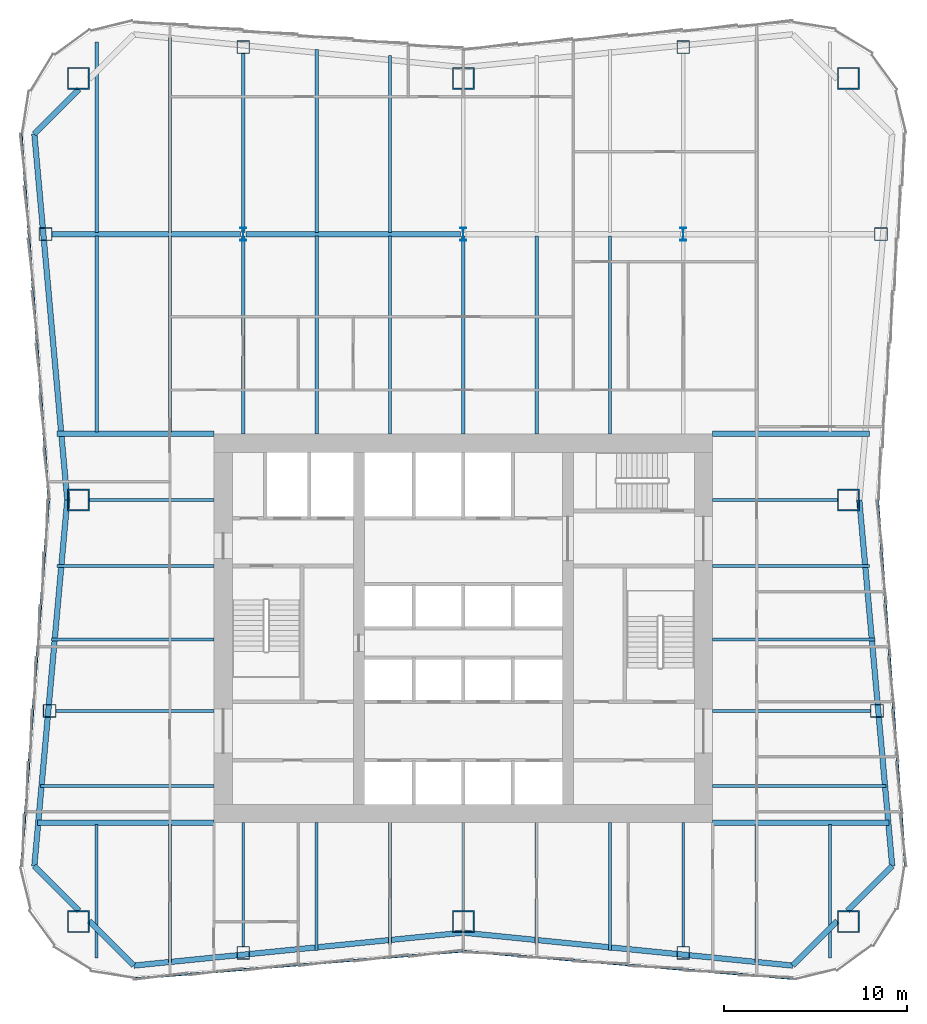
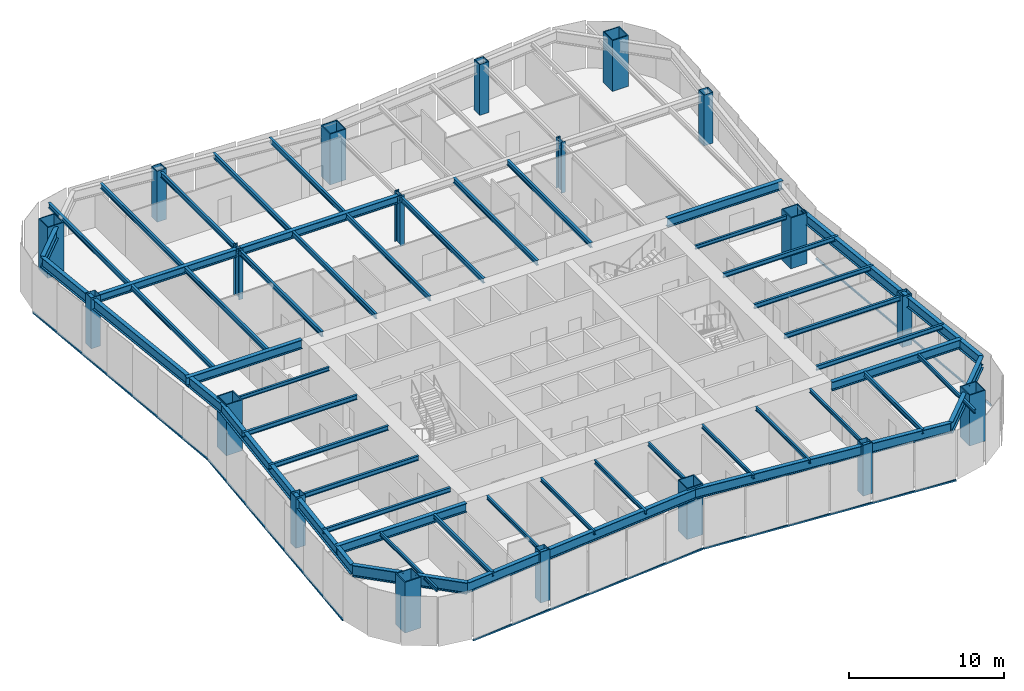
# One storey, part 1 of 8: 50 beams, 19 columns, 5 members, 3 elements without a shape of their own.
"""IFC4 building model written with IfcOpenShell, lengths in metres."""

import ifcopenshell
import ifcopenshell.guid

model = None  # the IFC model being written
_history = None  # IfcOwnerHistory: only IFC2X3 demands one
_inside = {}  # id of a spatial element -> (the spatial element, [elements in it])
_under = {}  # id of a project, library or spatial element -> (it, [spatial elements below it])
_declared = {}  # id of a project -> (the project, [libraries it declares])
_typed = {}  # id of a type object -> (the type object, [elements of that type])
_made_of = {}  # id of a material, layer set ... -> (it, [elements and type objects made of it])


def new_model(schema):
    """Start an empty IFC model of exactly this schema.

    Asked for "IFC4X3", IfcOpenShell would pick the latest addendum, in which some entities
    have other attributes; the version numbers below select the first issue.
    IFC2X3 requires an IfcOwnerHistory on every rooted entity: one is made here for all.
    """
    global model, _history
    if schema == "IFC4X3":
        model = ifcopenshell.file(schema_version=(4, 3, 0, 0))
    else:
        model = ifcopenshell.file(schema=schema)
    _inside.clear()
    _under.clear()
    _declared.clear()
    _typed.clear()
    _made_of.clear()
    _history = None
    if model.schema == "IFC2X3":
        org = make("IfcOrganization", Name="unknown")
        user = make(
            "IfcPersonAndOrganization",
            ThePerson=make("IfcPerson", FamilyName="unknown"),
            TheOrganization=org,
        )
        app = make(
            "IfcApplication",
            ApplicationDeveloper=org,
            Version="unknown",
            ApplicationFullName="unknown",
            ApplicationIdentifier="unknown",
        )
        _history = make(
            "IfcOwnerHistory",
            OwningUser=user,
            OwningApplication=app,
            ChangeAction="ADDED",
            CreationDate=0,
        )
    return model


def make(cls, **values):
    """One entity of the class cls with the attributes given. An attribute that is None is left unset."""
    return model.create_entity(
        cls, **{name: value for name, value in values.items() if value is not None}
    )


def rooted(cls, **values):
    """An entity with a GlobalId (a new one), such as an element, a storey or a relation."""
    return make(cls, GlobalId=ifcopenshell.guid.new(), OwnerHistory=_history, **values)


def si_unit(unit_type, name, prefix=None):
    """IfcSIUnit, for example si_unit("LENGTHUNIT", "METRE", prefix="MILLI")."""
    return make("IfcSIUnit", UnitType=unit_type, Prefix=prefix, Name=name)


def assignment(units):
    """IfcUnitAssignment: the units of a project."""
    return None if units is None else make("IfcUnitAssignment", Units=units)


def point(xyz):
    """IfcCartesianPoint."""
    return None if xyz is None else make("IfcCartesianPoint", Coordinates=xyz)


def direction(xyz):
    """IfcDirection."""
    return None if xyz is None else make("IfcDirection", DirectionRatios=xyz)


def frame(location, z_axis=None, x_axis=None):
    """IfcAxis2Placement3D, a coordinate frame: its origin and axes. An axis left out is left unset."""
    return make(
        "IfcAxis2Placement3D",
        Location=point(location),
        Axis=direction(z_axis),
        RefDirection=direction(x_axis),
    )


def frame_2d(location, x_axis=None):
    """IfcAxis2Placement2D, a coordinate frame in the plane: its origin and x axis."""
    return make(
        "IfcAxis2Placement2D", Location=point(location), RefDirection=direction(x_axis)
    )


def origin():
    """The frame at (0, 0, 0) with its axes left unset."""
    return frame((0.0, 0.0, 0.0))


def origin_2d():
    """The frame at (0, 0) in the plane with its x axis left unset."""
    return frame_2d((0.0, 0.0))


def place(relative_to, where):
    """IfcLocalPlacement: puts the frame where relative to a parent placement (None: the world)."""
    return make(
        "IfcLocalPlacement", PlacementRelTo=relative_to, RelativePlacement=where
    )


def context(
    kind, dimensions, precision=None, world=None, true_north=None, identifier=None
):
    """IfcGeometricRepresentationContext, for example the 3D "Model" context."""
    return make(
        "IfcGeometricRepresentationContext",
        ContextIdentifier=identifier,
        ContextType=kind,
        CoordinateSpaceDimension=dimensions,
        Precision=precision,
        WorldCoordinateSystem=world,
        TrueNorth=true_north,
    )


def subcontext(parent, identifier, kind, view, scale=None):
    """IfcGeometricRepresentationSubContext, for example "Body" below "Model"."""
    return make(
        "IfcGeometricRepresentationSubContext",
        ContextIdentifier=identifier,
        ContextType=kind,
        ParentContext=parent,
        TargetScale=scale,
        TargetView=view,
    )


def project(units=None, contexts=None):
    """IfcProject with its units and contexts."""
    return rooted(
        "IfcProject",
        Name="project",
        RepresentationContexts=contexts,
        UnitsInContext=assignment(units),
    )


def spatial(cls, under=None, at=None, **own):
    """A site, building, storey or space (cls), placed at a placement, below another one or the project."""
    s = rooted(cls, ObjectPlacement=at, **own)
    if under is not None:
        _under.setdefault(under.id(), (under, []))[1].append(s)
    return s


def profile(cls, at=None, kind="AREA", **sizes):
    """A parametric profile (cls). Its sizes go by their IFC names, for example OverallWidth=200.0."""
    return make(cls, ProfileType=kind, Position=at, **sizes)


def rectangle(**sizes):
    """IfcRectangleProfileDef."""
    return profile("IfcRectangleProfileDef", **sizes)


def hollow_rectangle(**sizes):
    """IfcRectangleHollowProfileDef."""
    return profile("IfcRectangleHollowProfileDef", **sizes)


def i_section(**sizes):
    """IfcIShapeProfileDef."""
    return profile("IfcIShapeProfileDef", **sizes)


def extrude(swept, where, along, depth):
    """IfcExtrudedAreaSolid: the profile swept, set in the frame where, extruded along a direction by depth."""
    return make(
        "IfcExtrudedAreaSolid",
        SweptArea=swept,
        Position=where,
        ExtrudedDirection=direction(along),
        Depth=depth,
    )


def shape(context_of_items, identifier, shape_type, items):
    """IfcShapeRepresentation: the items that make up one representation, for example the "Body"."""
    return make(
        "IfcShapeRepresentation",
        ContextOfItems=context_of_items,
        RepresentationIdentifier=identifier,
        RepresentationType=shape_type,
        Items=items,
    )


def material(Name=None, Category=None):
    """IfcMaterial."""
    return make("IfcMaterial", Name=Name, Category=Category)


def material_profile(
    of_material, cross_section, Name=None, Category=None, Priority=None
):
    """IfcMaterialProfile: a cross section and its material."""
    return make(
        "IfcMaterialProfile",
        Name=Name,
        Material=of_material,
        Profile=cross_section,
        Priority=Priority,
        Category=Category,
    )


def profile_set(profiles, Name=None, composite=None):
    """IfcMaterialProfileSet."""
    return make(
        "IfcMaterialProfileSet",
        Name=Name,
        MaterialProfiles=profiles,
        CompositeProfile=composite,
    )


def made_of(thing, what):
    """Note that an element or type object is made of a material, layer set ...; save() writes the relation."""
    if what is not None:
        _made_of.setdefault(what.id(), (what, []))[1].append(thing)
    return thing


def type_object(cls, material=None, **own):
    """A type object (cls), such as IfcWallType, which elements share."""
    return made_of(rooted(cls, **own), material)


def element(
    cls,
    number,
    at=None,
    inside=None,
    cuts=None,
    type_object=None,
    material=None,
    context=None,
    identifier="Body",
    shape_type=None,
    held_by="IfcProductDefinitionShape",
    body=None,
    shapes=None,
    **own,
):
    """One element of the class cls, such as IfcWall. Its Tag is "e" and its number.

    at: its placement. inside: the storey or other place that contains it. cuts: it is an
    opening in that element (IfcRelVoidsElement). A single representation is given by context,
    identifier, shape_type and body (its items); several are given by shapes. held_by: the class
    of the entity that holds the representations. save() writes the other relations.
    """
    e = rooted(cls, Tag="e%d" % number, ObjectPlacement=at, **own)
    if body is not None:
        shapes = [shape(context, identifier, shape_type, body)]
    if shapes is not None:
        e.Representation = make(held_by, Representations=shapes)
    if inside is not None:
        _inside.setdefault(inside.id(), (inside, []))[1].append(e)
    if cuts is not None:
        rooted(
            "IfcRelVoidsElement", RelatingBuildingElement=cuts, RelatedOpeningElement=e
        )
    if type_object is not None:
        _typed.setdefault(type_object.id(), (type_object, []))[1].append(e)
    return made_of(e, material)


def aggregate(whole, parts):
    """IfcRelAggregates: a whole, such as a stair, and the parts it consists of."""
    return rooted("IfcRelAggregates", RelatingObject=whole, RelatedObjects=parts)


def save(model, path):
    """Write the relations noted so far, then the file.

    IfcRelAggregates (storeys below a building ...), IfcRelContainedInSpatialStructure (elements
    in a storey), IfcRelDefinesByType, IfcRelAssociatesMaterial and IfcRelDeclares: one each for
    every whole, place, type object, material and project.
    """
    for whole, parts in _under.values():
        aggregate(whole, parts)
    for where, things in _inside.values():
        rooted(
            "IfcRelContainedInSpatialStructure",
            RelatedElements=things,
            RelatingStructure=where,
        )
    for kind, things in _typed.values():
        rooted("IfcRelDefinesByType", RelatedObjects=things, RelatingType=kind)
    for what, things in _made_of.values():
        rooted("IfcRelAssociatesMaterial", RelatedObjects=things, RelatingMaterial=what)
    for by, libraries in _declared.values():
        rooted("IfcRelDeclares", RelatingContext=by, RelatedDefinitions=libraries)
    model.write(path)


model = new_model("IFC4")

# Units and contexts
model_context = context("Model", 3, precision=1e-05, world=origin(), true_north=direction((0.0, 1.0)))
body_context = subcontext(model_context, "Body", "Model", "MODEL_VIEW")
ifc_project = project(units=[si_unit("LENGTHUNIT", "METRE"), si_unit("AREAUNIT", "SQUARE_METRE"), si_unit("VOLUMEUNIT", "CUBIC_METRE"), si_unit("PLANEANGLEUNIT", "RADIAN"), si_unit("MASSUNIT", "GRAM", prefix="KILO")], contexts=[model_context])

# Site, building, storey
site_placement = place(None, origin())
site = spatial("IfcSite", under=ifc_project, at=site_placement, CompositionType="ELEMENT")
building_placement = place(site_placement, origin())
building = spatial("IfcBuilding", under=site, at=building_placement, Name="Verdant Reach Tower", CompositionType="ELEMENT")
storey_placement = place(building_placement, frame((0.0, 0.0, 158.0)))
storey = spatial("IfcBuildingStorey", under=building, at=storey_placement, Name="L36", CompositionType="ELEMENT", Elevation=158.0)

# Columns
ifc_material_1 = material(Name="Steel S460", Category="steel")
ifc_material_profile_1 = material_profile(ifc_material_1, i_section(OverallWidth=0.30810546875, OverallDepth=0.716064453125, WebThickness=0.02099609375, FlangeThickness=0.0400390625, FilletRadius=0.027099609375, at=origin_2d()), Name="HEM 700")
ifc_profile_set_1 = profile_set([ifc_material_profile_1], Name="Steel S460")
column_type_1 = type_object("IfcColumnType", Name="ST-COL-HEM700", PredefinedType="COLUMN", material=ifc_profile_set_1)
for number, where, z_axis, x_axis, name in (
    (1, (-12.0, 49.5, 0.0), (0.0, 0.0, 1.0), (1.0, 0.0, 0.0), "Interior column 1, L36"),
    (2, (0.0, 49.5, 0.0), (0.0, 0.0, 1.0), (1.0, 0.0, 0.0), "Interior column 2, L36"),
    (3, (12.0, 49.5, 0.0), (0.0, 0.0, 1.0), (1.0, 0.0, 0.0), "Interior column 3, L36"),
):
    element("IfcColumn", number, at=place(storey_placement, frame(where, z_axis=z_axis, x_axis=x_axis)), inside=storey, type_object=column_type_1, Name=name, PredefinedType="COLUMN", context=body_context, shape_type="SweptSolid", body=[
        extrude(i_section(OverallWidth=0.30810546875, OverallDepth=0.716064453125, WebThickness=0.02099609375, FlangeThickness=0.0400390625, FilletRadius=0.027099609375, at=origin_2d()), origin(), (0.0, 0.0, 1.0), 4.0),
    ])
ifc_material_profile_2 = material_profile(ifc_material_1, hollow_rectangle(XDim=1.199951171875, YDim=1.199951171875, WallThickness=0.070068359375, at=origin_2d()), Name="WB 1200x1200x70")
ifc_profile_set_2 = profile_set([ifc_material_profile_2], Name="Steel S460")
column_type_2 = type_object("IfcColumnType", Name="ST-COL-WB1200x1200x70", PredefinedType="COLUMN", material=ifc_profile_set_2)
for number, where, z_axis, x_axis, name in (
    (4, (-21.0, 58.0, 0.0), (0.0, 0.0, 1.0), (1.0, 0.0, 0.0), "Mega column north-west, L36"),
    (5, (0.0, 58.0, 0.0), (0.0, 0.0, 1.0), (1.0, 0.0, 0.0), "Mega column north, L36"),
    (6, (21.0, 58.0, 0.0), (0.0, 0.0, 1.0), (1.0, 0.0, 0.0), "Mega column north-east, L36"),
    (7, (21.0, 35.0, 0.0), (0.0, 0.0, 1.0), (1.0, 0.0, 0.0), "Mega column east, L36"),
    (8, (21.0, 12.0, 0.0), (0.0, 0.0, 1.0), (1.0, 0.0, 0.0), "Mega column south-east, L36"),
    (9, (0.0, 12.0, 0.0), (0.0, 0.0, 1.0), (1.0, 0.0, 0.0), "Mega column south, L36"),
    (10, (-21.0, 12.0, 0.0), (0.0, 0.0, 1.0), (1.0, 0.0, 0.0), "Mega column south-west, L36"),
    (11, (-21.0, 35.0, 0.0), (0.0, 0.0, 1.0), (1.0, 0.0, 0.0), "Mega column west, L36"),
):
    element("IfcColumn", number, at=place(storey_placement, frame(where, z_axis=z_axis, x_axis=x_axis)), inside=storey, type_object=column_type_2, Name=name, PredefinedType="COLUMN", context=body_context, shape_type="SweptSolid", body=[
        extrude(hollow_rectangle(XDim=1.199951171875, YDim=1.199951171875, WallThickness=0.070068359375, at=origin_2d()), origin(), (0.0, 0.0, 1.0), 4.0),
    ])
ifc_material_profile_3 = material_profile(ifc_material_1, hollow_rectangle(XDim=0.699951171875, YDim=0.699951171875, WallThickness=0.030029296875, at=origin_2d()), Name="WB 700x700x30")
ifc_profile_set_3 = profile_set([ifc_material_profile_3], Name="Steel S460")
column_type_3 = type_object("IfcColumnType", Name="ST-COL-WB700x700x30", PredefinedType="COLUMN", material=ifc_profile_set_3)
for number, where, z_axis, x_axis, name in (
    (12, (-12.0, 59.699951171875, 0.0), (0.0, 0.0, 1.0), (1.0, 0.0, 0.0), "Perimeter column north 1, L36"),
    (13, (12.0, 59.699951171875, 0.0), (0.0, 0.0, 1.0), (1.0, 0.0, 0.0), "Perimeter column north 2, L36"),
    (14, (-12.0, 10.300048828125, 0.0), (0.0, 0.0, 1.0), (1.0, 0.0, 0.0), "Perimeter column south 1, L36"),
    (15, (12.0, 10.300048828125, 0.0), (0.0, 0.0, 1.0), (1.0, 0.0, 0.0), "Perimeter column south 2, L36"),
    (16, (22.5625, 23.5, 0.0), (0.0, 0.0, 1.0), (1.0, 0.0, 0.0), "Perimeter column east 1, L36"),
    (17, (22.78759765625, 49.5, 0.0), (0.0, 0.0, 1.0), (1.0, 0.0, 0.0), "Perimeter column east 2, L36"),
    (18, (-22.5625, 23.5, 0.0), (0.0, 0.0, 1.0), (1.0, 0.0, 0.0), "Perimeter column west 1, L36"),
    (19, (-22.78759765625, 49.5, 0.0), (0.0, 0.0, 1.0), (1.0, 0.0, 0.0), "Perimeter column west 2, L36"),
):
    element("IfcColumn", number, at=place(storey_placement, frame(where, z_axis=z_axis, x_axis=x_axis)), inside=storey, type_object=column_type_3, Name=name, PredefinedType="COLUMN", context=body_context, shape_type="SweptSolid", body=[
        extrude(hollow_rectangle(XDim=0.699951171875, YDim=0.699951171875, WallThickness=0.030029296875, at=origin_2d()), origin(), (0.0, 0.0, 1.0), 4.0),
    ])

# Curtain wall, member
ifc_material_2 = material(Name="Anodised aluminium", Category="aluminium")
curtain_wall_type = type_object("IfcCurtainWallType", Name="EN-CW SYSTEM Z2", PredefinedType="NOTDEFINED", material=ifc_material_2)
curtain_wall_1_placement = place(storey_placement, origin())
curtain_wall_1 = element("IfcCurtainWall", 20, at=curtain_wall_1_placement, inside=storey, type_object=curtain_wall_type, Name="Curtain wall east, L36", PredefinedType="NOTDEFINED")
ifc_material_profile_4 = material_profile(ifc_material_2, rectangle(XDim=0.10009765625, YDim=0.1240234375, at=origin_2d()), Name="Transom 124x100")
ifc_profile_set_4 = profile_set([ifc_material_profile_4], Name="Anodised aluminium")
member_type = type_object("IfcMemberType", Name="EN-TRANSOM Z2", PredefinedType="USERDEFINED", material=ifc_profile_set_4)
member_1_placement = place(storey_placement, frame((24.103515625, 15.025390625, -0.2880859375), z_axis=(-0.07476111665, 0.997201471839, 0.0), x_axis=(-0.997201471839, -0.07476111665, 0.0)))
member_1 = element("IfcMember", 21, at=member_1_placement, type_object=member_type, Name="Transom east face part 1 1.1, L36", ObjectType="TRANSOM", PredefinedType="USERDEFINED", context=body_context, shape_type="SweptSolid", body=[
    extrude(rectangle(XDim=0.10009765625, YDim=0.1240234375, at=origin_2d()), origin(), (0.0, 0.0, 1.0), 19.99853515625),
])
aggregate(curtain_wall_1, [member_1])

# Curtain wall, members
curtain_wall_2_placement = place(storey_placement, origin())
curtain_wall_2 = element("IfcCurtainWall", 22, at=curtain_wall_2_placement, inside=storey, type_object=curtain_wall_type, Name="Curtain wall west, L36", PredefinedType="NOTDEFINED")
member_2_placement = place(storey_placement, frame((-24.103515625, 54.974609375, -0.2880859375), z_axis=(0.07476111665, -0.997201471839, 0.0), x_axis=(0.997201471839, 0.07476111665, 0.0)))
member_2 = element("IfcMember", 23, at=member_2_placement, type_object=member_type, Name="Transom west face part 1 1.1, L36", ObjectType="TRANSOM", PredefinedType="USERDEFINED", context=body_context, shape_type="SweptSolid", body=[
    extrude(rectangle(XDim=0.10009765625, YDim=0.1240234375, at=origin_2d()), origin(), (0.0, 0.0, 1.0), 19.99853515625),
])
member_3_placement = place(storey_placement, frame((-22.6083984375, 34.968017578125, -0.2880859375), z_axis=(-0.07476111665, -0.997201471839, 0.0), x_axis=(0.997201471839, -0.07476111665, 0.0)))
member_3 = element("IfcMember", 24, at=member_3_placement, type_object=member_type, Name="Transom west face part 2 1.1, L36", ObjectType="TRANSOM", PredefinedType="USERDEFINED", context=body_context, shape_type="SweptSolid", body=[
    extrude(rectangle(XDim=0.10009765625, YDim=0.1240234375, at=origin_2d()), origin(), (0.0, 0.0, 1.0), 19.99853515625),
])
aggregate(curtain_wall_2, [member_2, member_3])

curtain_wall_3_placement = place(storey_placement, origin())
curtain_wall_3 = element("IfcCurtainWall", 25, at=curtain_wall_3_placement, inside=storey, type_object=curtain_wall_type, Name="Curtain wall south, L36", PredefinedType="NOTDEFINED")
member_4_placement = place(storey_placement, frame((-17.97412109375, 8.896728515625, -0.2880859375), z_axis=(0.996548282776, 0.083015179915, 0.0), x_axis=(-0.083015179915, 0.996548282776, 0.0)))
member_4 = element("IfcMember", 26, at=member_4_placement, type_object=member_type, Name="Transom south face part 1 1.1, L36", ObjectType="TRANSOM", PredefinedType="USERDEFINED", context=body_context, shape_type="SweptSolid", body=[
    extrude(rectangle(XDim=0.10009765625, YDim=0.1240234375, at=origin_2d()), origin(), (0.0, 0.0, 1.0), 18.00439453125),
])
member_5_placement = place(storey_placement, frame((0.031982421875, 10.391357421875, -0.2880859375), z_axis=(0.996548282776, -0.083015179915, 0.0), x_axis=(0.083015179915, 0.996548282776, 0.0)))
member_5 = element("IfcMember", 27, at=member_5_placement, type_object=member_type, Name="Transom south face part 2 1.1, L36", ObjectType="TRANSOM", PredefinedType="USERDEFINED", context=body_context, shape_type="SweptSolid", body=[
    extrude(rectangle(XDim=0.10009765625, YDim=0.1240234375, at=origin_2d()), origin(), (0.0, 0.0, 1.0), 18.00439453125),
])
aggregate(curtain_wall_3, [member_4, member_5])

# Beams
ifc_material_3 = material(Name="Steel S355", Category="steel")
ifc_material_profile_5 = material_profile(ifc_material_3, i_section(OverallWidth=0.300048828125, OverallDepth=0.60009765625, WebThickness=0.015380859375, FlangeThickness=0.030029296875, FilletRadius=0.027099609375, at=origin_2d()), Name="HEB 600")
ifc_profile_set_5 = profile_set([ifc_material_profile_5], Name="Steel S355")
beam_type_1 = type_object("IfcBeamType", Name="ST-BEAM-HEB600", PredefinedType="BEAM", material=ifc_profile_set_5)
beam_1_placement = place(storey_placement, frame((-22.4375, 49.5, 3.570068359375), z_axis=(1.0, 0.0, 0.0), x_axis=(0.0, 1.0, 0.0)))
element("IfcBeam", 28, at=beam_1_placement, inside=storey, type_object=beam_type_1, Name="Row girder, L36", PredefinedType="BEAM", context=body_context, shape_type="SweptSolid", body=[
    extrude(i_section(OverallWidth=0.300048828125, OverallDepth=0.60009765625, WebThickness=0.015380859375, FlangeThickness=0.030029296875, FilletRadius=0.027099609375, at=origin_2d()), origin(), (0.0, 0.0, 1.0), 10.283447265625),
])
beam_2_placement = place(storey_placement, frame((-11.845947265625, 49.5, 3.570068359375), z_axis=(1.0, 0.0, 0.0), x_axis=(0.0, 1.0, 0.0)))
element("IfcBeam", 29, at=beam_2_placement, inside=storey, type_object=beam_type_1, Name="Row girder, L36", PredefinedType="BEAM", context=body_context, shape_type="SweptSolid", body=[
    extrude(i_section(OverallWidth=0.300048828125, OverallDepth=0.60009765625, WebThickness=0.015380859375, FlangeThickness=0.030029296875, FilletRadius=0.027099609375, at=origin_2d()), origin(), (0.0, 0.0, 1.0), 11.69189453125),
])
ifc_material_profile_6 = material_profile(ifc_material_3, i_section(OverallWidth=0.300048828125, OverallDepth=0.699951171875, WebThickness=0.01708984375, FlangeThickness=0.031982421875, FilletRadius=0.027099609375, at=origin_2d()), Name="HEB 700")
ifc_profile_set_6 = profile_set([ifc_material_profile_6], Name="Steel S355")
beam_type_2 = type_object("IfcBeamType", Name="ST-BEAM-HEB700", PredefinedType="BEAM", material=ifc_profile_set_6)
for number, where, z_axis, x_axis, name in (
    (30, (13.60009765625, 38.60009765625, 3.52001953125), (1.0, 0.0, 0.0), (0.0, 1.0, 0.0), "Trimmer beam, L36"),
    (31, (-13.60009765625, 38.60009765625, 3.52001953125), (-1.0, 0.0, 0.0), (0.0, -1.0, 0.0), "Trimmer beam, L36"),
):
    element("IfcBeam", number, at=place(storey_placement, frame(where, z_axis=z_axis, x_axis=x_axis)), inside=storey, type_object=beam_type_2, Name=name, PredefinedType="BEAM", context=body_context, shape_type="SweptSolid", body=[
        extrude(i_section(OverallWidth=0.300048828125, OverallDepth=0.699951171875, WebThickness=0.01708984375, FlangeThickness=0.031982421875, FilletRadius=0.027099609375, at=origin_2d()), origin(), (0.0, 0.0, 1.0), 8.568115234375),
    ])
for number, where, z_axis, x_axis, name in (
    (32, (13.60009765625, 17.39990234375, 3.52001953125), (1.0, 0.0, 0.0), (0.0, 1.0, 0.0), "Trimmer beam, L36"),
    (33, (-13.60009765625, 17.39990234375, 3.52001953125), (-1.0, 0.0, 0.0), (0.0, -1.0, 0.0), "Trimmer beam, L36"),
):
    element("IfcBeam", number, at=place(storey_placement, frame(where, z_axis=z_axis, x_axis=x_axis)), inside=storey, type_object=beam_type_2, Name=name, PredefinedType="BEAM", context=body_context, shape_type="SweptSolid", body=[
        extrude(i_section(OverallWidth=0.300048828125, OverallDepth=0.699951171875, WebThickness=0.01708984375, FlangeThickness=0.031982421875, FilletRadius=0.027099609375, at=origin_2d()), origin(), (0.0, 0.0, 1.0), 9.6181640625),
    ])
ifc_material_profile_7 = material_profile(ifc_material_3, i_section(OverallWidth=0.14990234375, OverallDepth=0.300048828125, WebThickness=0.007080078125, FlangeThickness=0.0107421875, FilletRadius=0.014892578125, at=origin_2d()), Name="IPE 300")
ifc_profile_set_7 = profile_set([ifc_material_profile_7], Name="Steel S355")
beam_type_3 = type_object("IfcBeamType", Name="ST-JOIST-IPE300", PredefinedType="JOIST", material=ifc_profile_set_7)
beam_3_placement = place(storey_placement, frame((-20.0, 17.300048828125, 3.719970703125), z_axis=(0.0, -1.0, 0.0), x_axis=(1.0, 0.0, 0.0)))
element("IfcBeam", 34, at=beam_3_placement, inside=storey, type_object=beam_type_3, Name="Floor joist, L36", PredefinedType="JOIST", context=body_context, shape_type="SweptSolid", body=[
    extrude(i_section(OverallWidth=0.14990234375, OverallDepth=0.300048828125, WebThickness=0.007080078125, FlangeThickness=0.0107421875, FilletRadius=0.014892578125, at=origin_2d()), origin(), (0.0, 0.0, 1.0), 7.29052734375),
])
beam_4_placement = place(storey_placement, frame((-12.0, 17.39990234375, 3.719970703125), z_axis=(0.0, -1.0, 0.0), x_axis=(1.0, 0.0, 0.0)))
element("IfcBeam", 35, at=beam_4_placement, inside=storey, type_object=beam_type_3, Name="Floor joist, L36", PredefinedType="JOIST", context=body_context, shape_type="SweptSolid", body=[
    extrude(i_section(OverallWidth=0.14990234375, OverallDepth=0.300048828125, WebThickness=0.007080078125, FlangeThickness=0.0107421875, FilletRadius=0.014892578125, at=origin_2d()), origin(), (0.0, 0.0, 1.0), 6.75),
])
beam_5_placement = place(storey_placement, frame((-8.0, 17.39990234375, 3.719970703125), z_axis=(0.0, -1.0, 0.0), x_axis=(1.0, 0.0, 0.0)))
element("IfcBeam", 36, at=beam_5_placement, inside=storey, type_object=beam_type_3, Name="Floor joist, L36", PredefinedType="JOIST", context=body_context, shape_type="SweptSolid", body=[
    extrude(i_section(OverallWidth=0.14990234375, OverallDepth=0.300048828125, WebThickness=0.007080078125, FlangeThickness=0.0107421875, FilletRadius=0.014892578125, at=origin_2d()), origin(), (0.0, 0.0, 1.0), 6.964599609375),
])
beam_6_placement = place(storey_placement, frame((-4.0, 17.39990234375, 3.719970703125), z_axis=(0.0, -1.0, 0.0), x_axis=(1.0, 0.0, 0.0)))
element("IfcBeam", 37, at=beam_6_placement, inside=storey, type_object=beam_type_3, Name="Floor joist, L36", PredefinedType="JOIST", context=body_context, shape_type="SweptSolid", body=[
    extrude(i_section(OverallWidth=0.14990234375, OverallDepth=0.300048828125, WebThickness=0.007080078125, FlangeThickness=0.0107421875, FilletRadius=0.014892578125, at=origin_2d()), origin(), (0.0, 0.0, 1.0), 6.631103515625),
])
beam_7_placement = place(storey_placement, frame((0.0, 17.39990234375, 3.719970703125), z_axis=(0.0, -1.0, 0.0), x_axis=(1.0, 0.0, 0.0)))
element("IfcBeam", 38, at=beam_7_placement, inside=storey, type_object=beam_type_3, Name="Floor joist, L36", PredefinedType="JOIST", context=body_context, shape_type="SweptSolid", body=[
    extrude(i_section(OverallWidth=0.14990234375, OverallDepth=0.300048828125, WebThickness=0.007080078125, FlangeThickness=0.0107421875, FilletRadius=0.014892578125, at=origin_2d()), origin(), (0.0, 0.0, 1.0), 4.7998046875),
])
beam_8_placement = place(storey_placement, frame((4.0, 17.39990234375, 3.719970703125), z_axis=(0.0, -1.0, 0.0), x_axis=(1.0, 0.0, 0.0)))
element("IfcBeam", 39, at=beam_8_placement, inside=storey, type_object=beam_type_3, Name="Floor joist, L36", PredefinedType="JOIST", context=body_context, shape_type="SweptSolid", body=[
    extrude(i_section(OverallWidth=0.14990234375, OverallDepth=0.300048828125, WebThickness=0.007080078125, FlangeThickness=0.0107421875, FilletRadius=0.014892578125, at=origin_2d()), origin(), (0.0, 0.0, 1.0), 6.631103515625),
])
beam_9_placement = place(storey_placement, frame((8.0, 17.39990234375, 3.719970703125), z_axis=(0.0, -1.0, 0.0), x_axis=(1.0, 0.0, 0.0)))
element("IfcBeam", 40, at=beam_9_placement, inside=storey, type_object=beam_type_3, Name="Floor joist, L36", PredefinedType="JOIST", context=body_context, shape_type="SweptSolid", body=[
    extrude(i_section(OverallWidth=0.14990234375, OverallDepth=0.300048828125, WebThickness=0.007080078125, FlangeThickness=0.0107421875, FilletRadius=0.014892578125, at=origin_2d()), origin(), (0.0, 0.0, 1.0), 6.964599609375),
])
beam_10_placement = place(storey_placement, frame((12.0, 17.39990234375, 3.719970703125), z_axis=(0.0, -1.0, 0.0), x_axis=(1.0, 0.0, 0.0)))
element("IfcBeam", 41, at=beam_10_placement, inside=storey, type_object=beam_type_3, Name="Floor joist, L36", PredefinedType="JOIST", context=body_context, shape_type="SweptSolid", body=[
    extrude(i_section(OverallWidth=0.14990234375, OverallDepth=0.300048828125, WebThickness=0.007080078125, FlangeThickness=0.0107421875, FilletRadius=0.014892578125, at=origin_2d()), origin(), (0.0, 0.0, 1.0), 6.75),
])
beam_11_placement = place(storey_placement, frame((20.0, 17.300048828125, 3.719970703125), z_axis=(0.0, -1.0, 0.0), x_axis=(1.0, 0.0, 0.0)))
element("IfcBeam", 42, at=beam_11_placement, inside=storey, type_object=beam_type_3, Name="Floor joist, L36", PredefinedType="JOIST", context=body_context, shape_type="SweptSolid", body=[
    extrude(i_section(OverallWidth=0.14990234375, OverallDepth=0.300048828125, WebThickness=0.007080078125, FlangeThickness=0.0107421875, FilletRadius=0.014892578125, at=origin_2d()), origin(), (0.0, 0.0, 1.0), 7.29052734375),
])
for number, where, z_axis, x_axis, name in (
    (43, (13.60009765625, 35.0, 3.719970703125), (1.0, 0.0, 0.0), (0.0, 1.0, 0.0), "Floor joist, L36"),
    (44, (-13.60009765625, 35.0, 3.719970703125), (-1.0, 0.0, 0.0), (0.0, -1.0, 0.0), "Floor joist, L36"),
):
    element("IfcBeam", number, at=place(storey_placement, frame(where, z_axis=z_axis, x_axis=x_axis)), inside=storey, type_object=beam_type_3, Name=name, PredefinedType="JOIST", context=body_context, shape_type="SweptSolid", body=[
        extrude(i_section(OverallWidth=0.14990234375, OverallDepth=0.300048828125, WebThickness=0.007080078125, FlangeThickness=0.0107421875, FilletRadius=0.014892578125, at=origin_2d()), origin(), (0.0, 0.0, 1.0), 6.7998046875),
    ])
ifc_material_profile_8 = material_profile(ifc_material_3, i_section(OverallWidth=0.169921875, OverallDepth=0.360107421875, WebThickness=0.008056640625, FlangeThickness=0.0126953125, FilletRadius=0.01806640625, at=origin_2d()), Name="IPE 360")
ifc_profile_set_8 = profile_set([ifc_material_profile_8], Name="Steel S355")
beam_type_4 = type_object("IfcBeamType", Name="ST-JOIST-IPE360", PredefinedType="JOIST", material=ifc_profile_set_8)
for number, where, z_axis, x_axis, name in (
    (45, (-16.0, 17.300048828125, 3.68994140625), (0.0, -1.0, 0.0), (1.0, 0.0, 0.0), "Floor joist, L36"),
    (46, (16.0, 17.300048828125, 3.68994140625), (0.0, -1.0, 0.0), (1.0, 0.0, 0.0), "Floor joist, L36"),
):
    element("IfcBeam", number, at=place(storey_placement, frame(where, z_axis=z_axis, x_axis=x_axis)), inside=storey, type_object=beam_type_4, Name=name, PredefinedType="JOIST", context=body_context, shape_type="SweptSolid", body=[
        extrude(i_section(OverallWidth=0.169921875, OverallDepth=0.360107421875, WebThickness=0.008056640625, FlangeThickness=0.0126953125, FilletRadius=0.01806640625, at=origin_2d()), origin(), (0.0, 0.0, 1.0), 7.53125),
    ])
for number, where, z_axis, x_axis, name in (
    (47, (13.60009765625, 19.39990234375, 3.68994140625), (1.0, 0.0, 0.0), (0.0, 1.0, 0.0), "Floor joist, L36"),
    (48, (-13.60009765625, 19.39990234375, 3.68994140625), (-1.0, 0.0, 0.0), (0.0, -1.0, 0.0), "Floor joist, L36"),
):
    element("IfcBeam", number, at=place(storey_placement, frame(where, z_axis=z_axis, x_axis=x_axis)), inside=storey, type_object=beam_type_4, Name=name, PredefinedType="JOIST", context=body_context, shape_type="SweptSolid", body=[
        extrude(i_section(OverallWidth=0.169921875, OverallDepth=0.360107421875, WebThickness=0.008056640625, FlangeThickness=0.0126953125, FilletRadius=0.01806640625, at=origin_2d()), origin(), (0.0, 0.0, 1.0), 9.46826171875),
    ])
for number, where, z_axis, x_axis, name in (
    (49, (13.60009765625, 23.5, 3.68994140625), (1.0, 0.0, 0.0), (0.0, 1.0, 0.0), "Floor joist, L36"),
    (50, (-13.60009765625, 23.5, 3.68994140625), (-1.0, 0.0, 0.0), (0.0, -1.0, 0.0), "Floor joist, L36"),
):
    element("IfcBeam", number, at=place(storey_placement, frame(where, z_axis=z_axis, x_axis=x_axis)), inside=storey, type_object=beam_type_4, Name=name, PredefinedType="JOIST", context=body_context, shape_type="SweptSolid", body=[
        extrude(i_section(OverallWidth=0.169921875, OverallDepth=0.360107421875, WebThickness=0.008056640625, FlangeThickness=0.0126953125, FilletRadius=0.01806640625, at=origin_2d()), origin(), (0.0, 0.0, 1.0), 8.6123046875),
    ])
for number, where, z_axis, x_axis, name in (
    (51, (13.60009765625, 27.39990234375, 3.68994140625), (1.0, 0.0, 0.0), (0.0, 1.0, 0.0), "Floor joist, L36"),
    (52, (-13.60009765625, 27.39990234375, 3.68994140625), (-1.0, 0.0, 0.0), (0.0, -1.0, 0.0), "Floor joist, L36"),
):
    element("IfcBeam", number, at=place(storey_placement, frame(where, z_axis=z_axis, x_axis=x_axis)), inside=storey, type_object=beam_type_4, Name=name, PredefinedType="JOIST", context=body_context, shape_type="SweptSolid", body=[
        extrude(i_section(OverallWidth=0.169921875, OverallDepth=0.360107421875, WebThickness=0.008056640625, FlangeThickness=0.0126953125, FilletRadius=0.01806640625, at=origin_2d()), origin(), (0.0, 0.0, 1.0), 8.8681640625),
    ])
for number, where, z_axis, x_axis, name in (
    (53, (13.60009765625, 31.39990234375, 3.68994140625), (1.0, 0.0, 0.0), (0.0, 1.0, 0.0), "Floor joist, L36"),
    (54, (-13.60009765625, 31.39990234375, 3.68994140625), (-1.0, 0.0, 0.0), (0.0, -1.0, 0.0), "Floor joist, L36"),
):
    element("IfcBeam", number, at=place(storey_placement, frame(where, z_axis=z_axis, x_axis=x_axis)), inside=storey, type_object=beam_type_4, Name=name, PredefinedType="JOIST", context=body_context, shape_type="SweptSolid", body=[
        extrude(i_section(OverallWidth=0.169921875, OverallDepth=0.360107421875, WebThickness=0.008056640625, FlangeThickness=0.0126953125, FilletRadius=0.01806640625, at=origin_2d()), origin(), (0.0, 0.0, 1.0), 8.568115234375),
    ])
ifc_material_profile_9 = material_profile(ifc_material_3, i_section(OverallWidth=0.179931640625, OverallDepth=0.39990234375, WebThickness=0.008544921875, FlangeThickness=0.013427734375, FilletRadius=0.02099609375, at=origin_2d()), Name="IPE 400")
ifc_profile_set_9 = profile_set([ifc_material_profile_9], Name="Steel S355")
beam_type_5 = type_object("IfcBeamType", Name="ST-JOIST-IPE400", PredefinedType="JOIST", material=ifc_profile_set_9)
beam_12_placement = place(storey_placement, frame((-20.0, 38.699951171875, 3.669921875), z_axis=(0.0, 1.0, 0.0), x_axis=(-1.0, 0.0, 0.0)))
element("IfcBeam", 55, at=beam_12_placement, inside=storey, type_object=beam_type_5, Name="Floor joist, L36", PredefinedType="JOIST", context=body_context, shape_type="SweptSolid", body=[
    extrude(i_section(OverallWidth=0.179931640625, OverallDepth=0.39990234375, WebThickness=0.008544921875, FlangeThickness=0.013427734375, FilletRadius=0.02099609375, at=origin_2d()), origin(), (0.0, 0.0, 1.0), 10.699951171875),
])
beam_13_placement = place(storey_placement, frame((-20.0, 49.60009765625, 3.669921875), z_axis=(0.0, 1.0, 0.0), x_axis=(-1.0, 0.0, 0.0)))
element("IfcBeam", 56, at=beam_13_placement, inside=storey, type_object=beam_type_5, Name="Floor joist, L36", PredefinedType="JOIST", context=body_context, shape_type="SweptSolid", body=[
    extrude(i_section(OverallWidth=0.179931640625, OverallDepth=0.39990234375, WebThickness=0.008544921875, FlangeThickness=0.013427734375, FilletRadius=0.02099609375, at=origin_2d()), origin(), (0.0, 0.0, 1.0), 10.390380859375),
])
beam_14_placement = place(storey_placement, frame((-16.0, 38.699951171875, 3.669921875), z_axis=(0.0, 1.0, 0.0), x_axis=(-1.0, 0.0, 0.0)))
element("IfcBeam", 57, at=beam_14_placement, inside=storey, type_object=beam_type_5, Name="Floor joist, L36", PredefinedType="JOIST", context=body_context, shape_type="SweptSolid", body=[
    extrude(i_section(OverallWidth=0.179931640625, OverallDepth=0.39990234375, WebThickness=0.008544921875, FlangeThickness=0.013427734375, FilletRadius=0.02099609375, at=origin_2d()), origin(), (0.0, 0.0, 1.0), 10.699951171875),
])
beam_15_placement = place(storey_placement, frame((-16.0, 49.60009765625, 3.669921875), z_axis=(0.0, 1.0, 0.0), x_axis=(-1.0, 0.0, 0.0)))
element("IfcBeam", 58, at=beam_15_placement, inside=storey, type_object=beam_type_5, Name="Floor joist, L36", PredefinedType="JOIST", context=body_context, shape_type="SweptSolid", body=[
    extrude(i_section(OverallWidth=0.179931640625, OverallDepth=0.39990234375, WebThickness=0.008544921875, FlangeThickness=0.013427734375, FilletRadius=0.02099609375, at=origin_2d()), origin(), (0.0, 0.0, 1.0), 10.631103515625),
])
beam_16_placement = place(storey_placement, frame((-12.0, 38.60009765625, 3.669921875), z_axis=(0.0, 1.0, 0.0), x_axis=(-1.0, 0.0, 0.0)))
element("IfcBeam", 59, at=beam_16_placement, inside=storey, type_object=beam_type_5, Name="Floor joist, L36", PredefinedType="JOIST", context=body_context, shape_type="SweptSolid", body=[
    extrude(i_section(OverallWidth=0.179931640625, OverallDepth=0.39990234375, WebThickness=0.008544921875, FlangeThickness=0.013427734375, FilletRadius=0.02099609375, at=origin_2d()), origin(), (0.0, 0.0, 1.0), 10.7998046875),
])
beam_17_placement = place(storey_placement, frame((-12.0, 49.60009765625, 3.669921875), z_axis=(0.0, 1.0, 0.0), x_axis=(-1.0, 0.0, 0.0)))
element("IfcBeam", 60, at=beam_17_placement, inside=storey, type_object=beam_type_5, Name="Floor joist, L36", PredefinedType="JOIST", context=body_context, shape_type="SweptSolid", body=[
    extrude(i_section(OverallWidth=0.179931640625, OverallDepth=0.39990234375, WebThickness=0.008544921875, FlangeThickness=0.013427734375, FilletRadius=0.02099609375, at=origin_2d()), origin(), (0.0, 0.0, 1.0), 9.75),
])
beam_18_placement = place(storey_placement, frame((-8.0, 38.60009765625, 3.669921875), z_axis=(0.0, 1.0, 0.0), x_axis=(-1.0, 0.0, 0.0)))
element("IfcBeam", 61, at=beam_18_placement, inside=storey, type_object=beam_type_5, Name="Floor joist, L36", PredefinedType="JOIST", context=body_context, shape_type="SweptSolid", body=[
    extrude(i_section(OverallWidth=0.179931640625, OverallDepth=0.39990234375, WebThickness=0.008544921875, FlangeThickness=0.013427734375, FilletRadius=0.02099609375, at=origin_2d()), origin(), (0.0, 0.0, 1.0), 10.7998046875),
])
beam_19_placement = place(storey_placement, frame((-8.0, 49.60009765625, 3.669921875), z_axis=(0.0, 1.0, 0.0), x_axis=(-1.0, 0.0, 0.0)))
element("IfcBeam", 62, at=beam_19_placement, inside=storey, type_object=beam_type_5, Name="Floor joist, L36", PredefinedType="JOIST", context=body_context, shape_type="SweptSolid", body=[
    extrude(i_section(OverallWidth=0.179931640625, OverallDepth=0.39990234375, WebThickness=0.008544921875, FlangeThickness=0.013427734375, FilletRadius=0.02099609375, at=origin_2d()), origin(), (0.0, 0.0, 1.0), 9.964599609375),
])
beam_20_placement = place(storey_placement, frame((-4.0, 38.60009765625, 3.669921875), z_axis=(0.0, 1.0, 0.0), x_axis=(-1.0, 0.0, 0.0)))
element("IfcBeam", 63, at=beam_20_placement, inside=storey, type_object=beam_type_5, Name="Floor joist, L36", PredefinedType="JOIST", context=body_context, shape_type="SweptSolid", body=[
    extrude(i_section(OverallWidth=0.179931640625, OverallDepth=0.39990234375, WebThickness=0.008544921875, FlangeThickness=0.013427734375, FilletRadius=0.02099609375, at=origin_2d()), origin(), (0.0, 0.0, 1.0), 10.7998046875),
])
beam_21_placement = place(storey_placement, frame((-4.0, 49.60009765625, 3.669921875), z_axis=(0.0, 1.0, 0.0), x_axis=(-1.0, 0.0, 0.0)))
element("IfcBeam", 64, at=beam_21_placement, inside=storey, type_object=beam_type_5, Name="Floor joist, L36", PredefinedType="JOIST", context=body_context, shape_type="SweptSolid", body=[
    extrude(i_section(OverallWidth=0.179931640625, OverallDepth=0.39990234375, WebThickness=0.008544921875, FlangeThickness=0.013427734375, FilletRadius=0.02099609375, at=origin_2d()), origin(), (0.0, 0.0, 1.0), 9.631103515625),
])
for number, where, z_axis, x_axis, name in (
    (65, (0.0, 38.60009765625, 3.669921875), (0.0, 1.0, 0.0), (-1.0, 0.0, 0.0), "Floor joist, L36"),
    (66, (4.0, 38.60009765625, 3.669921875), (0.0, 1.0, 0.0), (-1.0, 0.0, 0.0), "Floor joist, L36"),
    (67, (8.0, 38.60009765625, 3.669921875), (0.0, 1.0, 0.0), (-1.0, 0.0, 0.0), "Floor joist, L36"),
):
    element("IfcBeam", number, at=place(storey_placement, frame(where, z_axis=z_axis, x_axis=x_axis)), inside=storey, type_object=beam_type_5, Name=name, PredefinedType="JOIST", context=body_context, shape_type="SweptSolid", body=[
        extrude(i_section(OverallWidth=0.179931640625, OverallDepth=0.39990234375, WebThickness=0.008544921875, FlangeThickness=0.013427734375, FilletRadius=0.02099609375, at=origin_2d()), origin(), (0.0, 0.0, 1.0), 10.7998046875),
    ])
ifc_material_profile_10 = material_profile(ifc_material_3, i_section(OverallWidth=0.300048828125, OverallDepth=0.800048828125, WebThickness=0.017578125, FlangeThickness=0.032958984375, FilletRadius=0.030029296875, at=origin_2d()), Name="HEB 800")
ifc_profile_set_10 = profile_set([ifc_material_profile_10], Name="Steel S355")
beam_type_6 = type_object("IfcBeamType", Name="ST-SPANDREL-HEB800", PredefinedType="SPANDREL", material=ifc_profile_set_10)
for number, where, z_axis, x_axis, name in (
    (68, (17.9658203125, 9.60498046875, 3.469970703125), (-0.995046289869, 0.099412680371, 0.0), (-0.099412680371, -0.995046289869, 0.0), "Edge beam, L36"),
    (69, (0.0, 11.39990234375, 3.469970703125), (-0.995046289869, -0.099412680371, 0.0), (0.099412680371, -0.995046289869, 0.0), "Edge beam, L36"),
):
    element("IfcBeam", number, at=place(storey_placement, frame(where, z_axis=z_axis, x_axis=x_axis)), inside=storey, type_object=beam_type_6, Name=name, PredefinedType="SPANDREL", context=body_context, shape_type="SweptSolid", body=[
        extrude(i_section(OverallWidth=0.300048828125, OverallDepth=0.800048828125, WebThickness=0.017578125, FlangeThickness=0.032958984375, FilletRadius=0.030029296875, at=origin_2d()), origin(), (0.0, 0.0, 1.0), 18.05517578125),
    ])
for number, where, z_axis, x_axis, name in (
    (70, (-23.3955078125, 15.036865234375, 3.469970703125), (0.089574749266, 0.995980102358, 0.0), (-0.995980102358, 0.089574749266, 0.0), "Edge beam, L36"),
    (71, (-21.60009765625, 35.0, 3.469970703125), (-0.089574749266, 0.995980102358, 0.0), (-0.995980102358, -0.089574749266, 0.0), "Edge beam, L36"),
    (72, (21.60009765625, 35.0, 3.469970703125), (0.089574749266, -0.995980102358, 0.0), (0.995980102358, 0.089574749266, 0.0), "Edge beam, L36"),
):
    element("IfcBeam", number, at=place(storey_placement, frame(where, z_axis=z_axis, x_axis=x_axis)), inside=storey, type_object=beam_type_6, Name=name, PredefinedType="SPANDREL", context=body_context, shape_type="SweptSolid", body=[
        extrude(i_section(OverallWidth=0.300048828125, OverallDepth=0.800048828125, WebThickness=0.017578125, FlangeThickness=0.032958984375, FilletRadius=0.030029296875, at=origin_2d()), origin(), (0.0, 0.0, 1.0), 20.043701171875),
    ])
ifc_material_profile_11 = material_profile(ifc_material_3, i_section(OverallWidth=0.302001953125, OverallDepth=0.909912109375, WebThickness=0.02099609375, FlangeThickness=0.0400390625, FilletRadius=0.030029296875, at=origin_2d()), Name="HEM 900")
ifc_profile_set_11 = profile_set([ifc_material_profile_11], Name="Steel S355")
beam_type_7 = type_object("IfcBeamType", Name="ST-SPANDREL-HEM900", PredefinedType="SPANDREL", material=ifc_profile_set_11)
beam_22_placement = place(storey_placement, frame((-17.9658203125, 9.60498046875, 3.4150390625), z_axis=(-0.70696494852, 0.70724858541, 0.0), x_axis=(-0.70724858541, -0.70696494852, 0.0)))
element("IfcBeam", 73, at=beam_22_placement, inside=storey, type_object=beam_type_7, Name="Edge beam, L36", PredefinedType="SPANDREL", context=body_context, shape_type="SweptSolid", body=[
    extrude(i_section(OverallWidth=0.302001953125, OverallDepth=0.909912109375, WebThickness=0.02099609375, FlangeThickness=0.0400390625, FilletRadius=0.030029296875, at=origin_2d()), origin(), (0.0, 0.0, 1.0), 3.443115234375),
])
for number, where, z_axis, x_axis, name in (
    (74, (-20.959716796875, 12.60009765625, 3.4150390625), (-0.706965048022, 0.707248485948, 0.0), (-0.707248485948, -0.706965048022, 0.0), "Edge beam, L36"),
    (75, (-23.3955078125, 54.963134765625, 3.4150390625), (0.706965048022, 0.707248485948, 0.0), (-0.707248485948, 0.706965048022, 0.0), "Edge beam, L36"),
    (76, (23.3955078125, 15.036865234375, 3.4150390625), (-0.706965048022, -0.707248485948, 0.0), (0.707248485948, -0.706965048022, 0.0), "Edge beam, L36"),
):
    element("IfcBeam", number, at=place(storey_placement, frame(where, z_axis=z_axis, x_axis=x_axis)), inside=storey, type_object=beam_type_7, Name=name, PredefinedType="SPANDREL", context=body_context, shape_type="SweptSolid", body=[
        extrude(i_section(OverallWidth=0.302001953125, OverallDepth=0.909912109375, WebThickness=0.02099609375, FlangeThickness=0.0400390625, FilletRadius=0.030029296875, at=origin_2d()), origin(), (0.0, 0.0, 1.0), 3.4453125),
    ])
beam_23_placement = place(storey_placement, frame((20.39990234375, 12.0400390625, 3.4150390625), z_axis=(-0.70696494852, -0.70724858541, 0.0), x_axis=(0.70724858541, -0.70696494852, 0.0)))
element("IfcBeam", 77, at=beam_23_placement, inside=storey, type_object=beam_type_7, Name="Edge beam, L36", PredefinedType="SPANDREL", context=body_context, shape_type="SweptSolid", body=[
    extrude(i_section(OverallWidth=0.302001953125, OverallDepth=0.909912109375, WebThickness=0.02099609375, FlangeThickness=0.0400390625, FilletRadius=0.030029296875, at=origin_2d()), origin(), (0.0, 0.0, 1.0), 3.443115234375),
])

save(model, "model.ifc")
